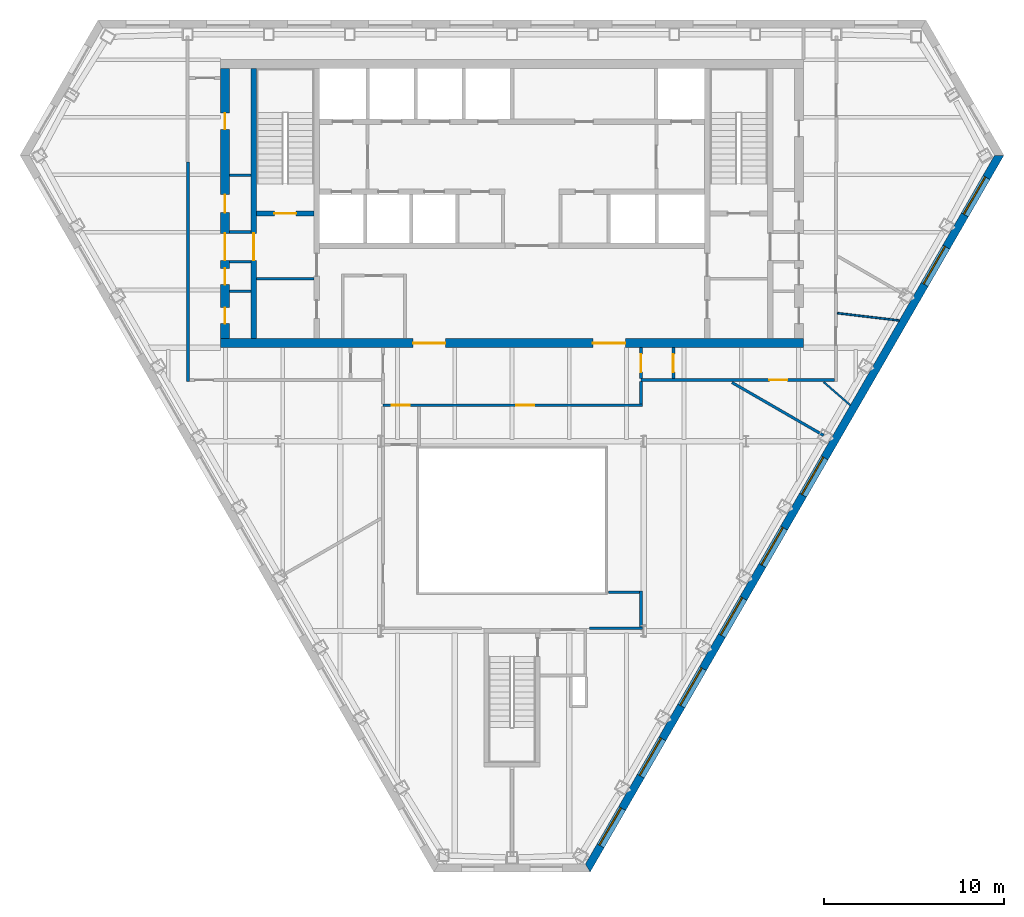
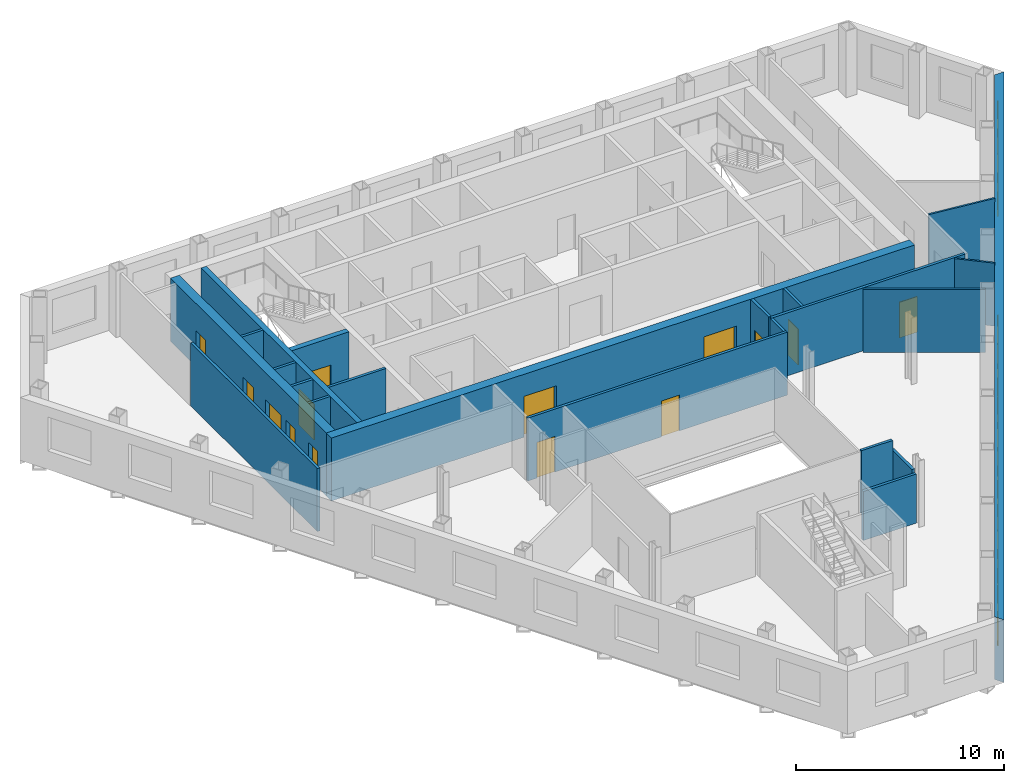
# One storey, part 5 of 11: 22 walls, 14 doors, 8 windows, 22 openings.
"""IFC4 building model written with IfcOpenShell, lengths in metres."""

from ifc_helpers import new_model, si_unit, direction, frame, frame_2d, origin, place, context, subcontext, project, spatial, polyline, rectangle, outline, extrude, material, layer, layer_set, type_object, element, fill, save


model = new_model("IFC4")

# Units and contexts
model_context = context("Model", 3, precision=1e-05, world=origin(), true_north=direction((0.0, 1.0)))
body_context = subcontext(model_context, "Body", "Model", "MODEL_VIEW")
ifc_project = project(units=[si_unit("LENGTHUNIT", "METRE"), si_unit("AREAUNIT", "SQUARE_METRE"), si_unit("VOLUMEUNIT", "CUBIC_METRE"), si_unit("PLANEANGLEUNIT", "RADIAN"), si_unit("MASSUNIT", "GRAM", prefix="KILO")], contexts=[model_context])

# Site, building, storey
site_placement = place(None, origin())
site = spatial("IfcSite", under=ifc_project, at=site_placement, CompositionType="ELEMENT")
building_placement = place(site_placement, origin())
building = spatial("IfcBuilding", under=site, at=building_placement, Name="Njiva Tower", CompositionType="ELEMENT")
storey_placement = place(building_placement, frame((0.0, 0.0, 151.5)))
storey = spatial("IfcBuildingStorey", under=building, at=storey_placement, Name="L32", CompositionType="ELEMENT", Elevation=151.5)

# Walls
ifc_material_1 = material(Name="Blockwork", Category="masonry")
ifc_layer_1 = layer(ifc_material_1, 0.15)
ifc_layer_set_1 = layer_set([ifc_layer_1], Name="Blockwork")
wall_type_1 = type_object("IfcWallType", Name="WT1 Compartment partition 150", PredefinedType="PARTITIONING", material=ifc_layer_set_1)
wall_1_placement = place(storey_placement, frame((-14.2, 5.825, 0.0), z_axis=(0.0, 0.0, 1.0), x_axis=(1.0, 0.0, 0.0)))
element("IfcWall", 1, at=wall_1_placement, inside=storey, type_object=wall_type_1, Name="Room wall A", PredefinedType="PARTITIONING", context=body_context, shape_type="SweptSolid", body=[
    extrude(rectangle(XDim=3.2, YDim=0.15, at=frame_2d((1.6, 0.0))), origin(), (0.0, 0.0, 1.0), 3.7),
])
wall_2_placement = place(storey_placement, frame((-15.7, 11.5687, 0.0), z_axis=(0.0, 0.0, 1.0), x_axis=(1.0, 0.0, 0.0)))
element("IfcWall", 2, at=wall_2_placement, inside=storey, type_object=wall_type_1, Name="Partition strip W10", PredefinedType="PARTITIONING", context=body_context, shape_type="SweptSolid", body=[
    extrude(rectangle(XDim=1.2, YDim=0.15, at=frame_2d((0.6, 0.0))), origin(), (0.0, 0.0, 1.0), 3.7),
])

# Wall, opening, door
ifc_material_2 = material(Name="Concrete C40/50", Category="concrete")
ifc_layer_2 = layer(ifc_material_2, 0.3)
ifc_layer_set_2 = layer_set([ifc_layer_2], Name="Concrete C40/50")
wall_type_2 = type_object("IfcWallType", Name="WT10 Stair enclosure wall 300", PredefinedType="SHEAR", material=ifc_layer_set_2)
wall_3_placement = place(storey_placement, frame((-14.35, 2.5, 0.0), z_axis=(0.0, 0.0, 1.0), x_axis=(0.0, 1.0, 0.0)))
wall_3 = element("IfcWall", 3, at=wall_3_placement, inside=storey, type_object=wall_type_2, Name="Stair wall west outer", PredefinedType="SHEAR", context=body_context, shape_type="SweptSolid", body=[
    extrude(rectangle(XDim=15.0, YDim=0.3, at=frame_2d((7.5, 0.0))), origin(), (0.0, 0.0, 1.0), 3.7),
])
opening_1_placement = place(wall_3_placement, frame((4.35, 0.0, 0.0)))
opening_1 = element("IfcOpeningElement", 4, at=opening_1_placement, cuts=wall_3, Name="Opening S11-D920", PredefinedType="OPENING", context=body_context, shape_type="SweptSolid", body=[
    extrude(rectangle(XDim=1.5, YDim=2.1, at=frame_2d((0.75, 1.05))), frame((0.0, 0.16, 0.0), z_axis=(0.0, -1.0, 0.0), x_axis=(1.0, 0.0, 0.0)), (0.0, 0.0, 1.0), 0.32),
])
ifc_material_3 = material(Name="Glazed steel fire door", Category="steel")
door_type_1 = type_object("IfcDoorType", Name="D10 Exit door double 1500x2100 glazed", OperationType="DOUBLE_DOOR_SINGLE_SWING", PredefinedType="DOOR", material=ifc_material_3)
door_1_placement = place(opening_1_placement, origin())
door_1 = element("IfcDoor", 5, at=door_1_placement, inside=storey, type_object=door_type_1, Name="Stair A passage door", OperationType="DOUBLE_DOOR_SINGLE_SWING", OverallHeight=2.1, OverallWidth=1.5, PredefinedType="DOOR", context=body_context, shape_type="SweptSolid", body=[
    extrude(rectangle(XDim=1.5, YDim=2.1, at=frame_2d((0.75, 1.05))), frame((0.0, 0.025, 0.0), z_axis=(0.0, -1.0, 0.0), x_axis=(1.0, 0.0, 0.0)), (0.0, 0.0, 1.0), 0.05),
])
fill(opening_1, door_1)

wall_4_placement = place(storey_placement, frame((-14.2, 9.45, 0.0), z_axis=(0.0, 0.0, 1.0), x_axis=(1.0, 0.0, 0.0)))
wall_4 = element("IfcWall", 6, at=wall_4_placement, inside=storey, type_object=wall_type_2, Name="Stair A south wall", PredefinedType="SHEAR", context=body_context, shape_type="SweptSolid", body=[
    extrude(rectangle(XDim=3.2, YDim=0.3, at=frame_2d((1.6, 0.0))), origin(), (0.0, 0.0, 1.0), 3.7),
])
opening_2_placement = place(wall_4_placement, frame((1.0, 0.0, 0.0)))
opening_2 = element("IfcOpeningElement", 7, at=opening_2_placement, cuts=wall_4, Name="Opening S11-D913", PredefinedType="OPENING", context=body_context, shape_type="SweptSolid", body=[
    extrude(rectangle(XDim=1.2, YDim=2.1, at=frame_2d((0.6, 1.05))), frame((0.0, 0.16, 0.0), z_axis=(0.0, -1.0, 0.0), x_axis=(1.0, 0.0, 0.0)), (0.0, 0.0, 1.0), 0.32),
])
door_type_2 = type_object("IfcDoorType", Name="D7 Stair vestibule door 1200x2100 glazed", OperationType="SINGLE_SWING_LEFT", PredefinedType="DOOR", material=ifc_material_3)
door_2_placement = place(opening_2_placement, origin())
door_2 = element("IfcDoor", 8, at=door_2_placement, inside=storey, type_object=door_type_2, Name="Stair A door", OperationType="SINGLE_SWING_LEFT", OverallHeight=2.1, OverallWidth=1.2, PredefinedType="DOOR", context=body_context, shape_type="SweptSolid", body=[
    extrude(rectangle(XDim=1.2, YDim=2.1, at=frame_2d((0.6, 1.05))), frame((0.0, 0.025, 0.0), z_axis=(0.0, -1.0, 0.0), x_axis=(1.0, 0.0, 0.0)), (0.0, 0.0, 1.0), 0.05),
])
fill(opening_2, door_2)

# Wall, openings, doors
ifc_material_4 = material(Name="Concrete C60/75", Category="concrete")
ifc_layer_3 = layer(ifc_material_4, 0.5)
ifc_layer_set_3 = layer_set([ifc_layer_3], Name="Concrete C60/75")
wall_type_3 = type_object("IfcWallType", Name="WT13 Core wall 500", PredefinedType="SHEAR", material=ifc_layer_set_3)
wall_5_placement = place(storey_placement, frame((-16.2, 2.25, 0.0), z_axis=(0.0, 0.0, 1.0), x_axis=(1.0, 0.0, 0.0)))
wall_5 = element("IfcWall", 9, at=wall_5_placement, inside=storey, type_object=wall_type_3, Name="Core wall south", PredefinedType="SHEAR", context=body_context, shape_type="SweptSolid", body=[
    extrude(rectangle(XDim=32.4, YDim=0.5, at=frame_2d((16.2, 0.0))), origin(), (0.0, 0.0, 1.0), 3.7),
])
opening_3_placement = place(wall_5_placement, frame((10.7, 0.0, 0.0)))
opening_3 = element("IfcOpeningElement", 10, at=opening_3_placement, cuts=wall_5, Name="Opening S11-D934", PredefinedType="OPENING", context=body_context, shape_type="SweptSolid", body=[
    extrude(rectangle(XDim=1.8, YDim=2.4, at=frame_2d((0.9, 1.2))), frame((0.0, 0.26, 0.0), z_axis=(0.0, -1.0, 0.0), x_axis=(1.0, 0.0, 0.0)), (0.0, 0.0, 1.0), 0.52),
])
opening_4_placement = place(wall_5_placement, frame((20.7, 0.0, 0.0)))
opening_4 = element("IfcOpeningElement", 11, at=opening_4_placement, cuts=wall_5, Name="Opening S11-D935", PredefinedType="OPENING", context=body_context, shape_type="SweptSolid", body=[
    extrude(rectangle(XDim=1.8, YDim=2.4, at=frame_2d((0.9, 1.2))), frame((0.0, 0.26, 0.0), z_axis=(0.0, -1.0, 0.0), x_axis=(1.0, 0.0, 0.0)), (0.0, 0.0, 1.0), 0.52),
])
ifc_material_5 = material(Name="Steel and glass door", Category="steel")
door_type_3 = type_object("IfcDoorType", Name="D3 Core entrance door 1800x2400", OperationType="DOUBLE_DOOR_SINGLE_SWING", PredefinedType="DOOR", material=ifc_material_5)
door_3_placement = place(opening_3_placement, origin())
door_3 = element("IfcDoor", 12, at=door_3_placement, inside=storey, type_object=door_type_3, Name="Core entrance door", OperationType="DOUBLE_DOOR_SINGLE_SWING", OverallHeight=2.4, OverallWidth=1.8, PredefinedType="DOOR", context=body_context, shape_type="SweptSolid", body=[
    extrude(rectangle(XDim=1.8, YDim=2.4, at=frame_2d((0.9, 1.2))), frame((0.0, 0.025, 0.0), z_axis=(0.0, -1.0, 0.0), x_axis=(1.0, 0.0, 0.0)), (0.0, 0.0, 1.0), 0.05),
])
fill(opening_3, door_3)
door_4_placement = place(opening_4_placement, origin())
door_4 = element("IfcDoor", 13, at=door_4_placement, inside=storey, type_object=door_type_3, Name="Core entrance door", OperationType="DOUBLE_DOOR_SINGLE_SWING", OverallHeight=2.4, OverallWidth=1.8, PredefinedType="DOOR", context=body_context, shape_type="SweptSolid", body=[
    extrude(rectangle(XDim=1.8, YDim=2.4, at=frame_2d((0.9, 1.2))), frame((0.0, 0.025, 0.0), z_axis=(0.0, -1.0, 0.0), x_axis=(1.0, 0.0, 0.0)), (0.0, 0.0, 1.0), 0.05),
])
fill(opening_4, door_4)

wall_6_placement = place(storey_placement, frame((-15.95, 2.5, 0.0), z_axis=(0.0, 0.0, 1.0), x_axis=(0.0, 1.0, 0.0)))
wall_6 = element("IfcWall", 14, at=wall_6_placement, inside=storey, type_object=wall_type_3, Name="Core wall west", PredefinedType="SHEAR", context=body_context, shape_type="SweptSolid", body=[
    extrude(rectangle(XDim=15.0, YDim=0.5, at=frame_2d((7.5, 0.0))), origin(), (0.0, 0.0, 1.0), 3.7),
])
opening_5_placement = place(wall_6_placement, frame((4.35, 0.0, 0.0)))
opening_5 = element("IfcOpeningElement", 15, at=opening_5_placement, cuts=wall_6, Name="Opening S11-D921", PredefinedType="OPENING", context=body_context, shape_type="SweptSolid", body=[
    extrude(rectangle(XDim=1.5, YDim=2.1, at=frame_2d((0.75, 1.05))), frame((0.0, 0.26, 0.0), z_axis=(0.0, -1.0, 0.0), x_axis=(1.0, 0.0, 0.0)), (0.0, 0.0, 1.0), 0.52),
])
opening_6_placement = place(wall_6_placement, frame((0.825, 0.0, 0.0)))
opening_6 = element("IfcOpeningElement", 16, at=opening_6_placement, cuts=wall_6, Name="Opening S11-D922", PredefinedType="OPENING", context=body_context, shape_type="SweptSolid", body=[
    extrude(rectangle(XDim=0.9, YDim=2.1, at=frame_2d((0.45, 1.05))), frame((0.0, 0.26, 0.0), z_axis=(0.0, -1.0, 0.0), x_axis=(1.0, 0.0, 0.0)), (0.0, 0.0, 1.0), 0.52),
])
opening_7_placement = place(wall_6_placement, frame((3.0, 0.0, 0.0)))
opening_7 = element("IfcOpeningElement", 17, at=opening_7_placement, cuts=wall_6, Name="Opening S11-D923", PredefinedType="OPENING", context=body_context, shape_type="SweptSolid", body=[
    extrude(rectangle(XDim=0.9, YDim=2.1, at=frame_2d((0.45, 1.05))), frame((0.0, 0.26, 0.0), z_axis=(0.0, -1.0, 0.0), x_axis=(1.0, 0.0, 0.0)), (0.0, 0.0, 1.0), 0.52),
])
opening_8_placement = place(wall_6_placement, frame((6.9969, 0.0, 0.0)))
opening_8 = element("IfcOpeningElement", 18, at=opening_8_placement, cuts=wall_6, Name="Opening S11-D924", PredefinedType="OPENING", context=body_context, shape_type="SweptSolid", body=[
    extrude(rectangle(XDim=1.0, YDim=2.1, at=frame_2d((0.5, 1.05))), frame((0.0, 0.26, 0.0), z_axis=(0.0, -1.0, 0.0), x_axis=(1.0, 0.0, 0.0)), (0.0, 0.0, 1.0), 0.52),
])
opening_9_placement = place(wall_6_placement, frame((11.6219, 0.0, 0.0)))
opening_9 = element("IfcOpeningElement", 19, at=opening_9_placement, cuts=wall_6, Name="Opening S11-D925", PredefinedType="OPENING", context=body_context, shape_type="SweptSolid", body=[
    extrude(rectangle(XDim=0.9, YDim=2.1, at=frame_2d((0.45, 1.05))), frame((0.0, 0.26, 0.0), z_axis=(0.0, -1.0, 0.0), x_axis=(1.0, 0.0, 0.0)), (0.0, 0.0, 1.0), 0.52),
])
door_5_placement = place(opening_5_placement, origin())
door_5 = element("IfcDoor", 20, at=door_5_placement, inside=storey, type_object=door_type_1, Name="Stair A corridor door", OperationType="DOUBLE_DOOR_SINGLE_SWING", OverallHeight=2.1, OverallWidth=1.5, PredefinedType="DOOR", context=body_context, shape_type="SweptSolid", body=[
    extrude(rectangle(XDim=1.5, YDim=2.1, at=frame_2d((0.75, 1.05))), frame((0.0, 0.025, 0.0), z_axis=(0.0, -1.0, 0.0), x_axis=(1.0, 0.0, 0.0)), (0.0, 0.0, 1.0), 0.05),
])
fill(opening_5, door_5)
ifc_material_6 = material(Name="Steel door, painted", Category="steel")
door_type_4 = type_object("IfcDoorType", Name="D4 Riser door 900x2100", OperationType="SINGLE_SWING_LEFT", PredefinedType="DOOR", material=ifc_material_6)
door_6_placement = place(opening_7_placement, origin())
door_6 = element("IfcDoor", 21, at=door_6_placement, inside=storey, type_object=door_type_4, Name="Cable riser door", OperationType="SINGLE_SWING_RIGHT", OverallHeight=2.1, OverallWidth=0.9, PredefinedType="DOOR", context=body_context, shape_type="SweptSolid", body=[
    extrude(rectangle(XDim=0.9, YDim=2.1, at=frame_2d((0.45, 1.05))), frame((0.0, 0.025, 0.0), z_axis=(0.0, -1.0, 0.0), x_axis=(1.0, 0.0, 0.0)), (0.0, 0.0, 1.0), 0.05),
])
fill(opening_7, door_6)
door_type_5 = type_object("IfcDoorType", Name="D5 Steel door 1000x2100", OperationType="SINGLE_SWING_LEFT", PredefinedType="DOOR", material=ifc_material_6)
door_7_placement = place(opening_8_placement, origin())
door_7 = element("IfcDoor", 22, at=door_7_placement, inside=storey, type_object=door_type_5, Name="Electrical room door", OperationType="SINGLE_SWING_RIGHT", OverallHeight=2.1, OverallWidth=1.0, PredefinedType="DOOR", context=body_context, shape_type="SweptSolid", body=[
    extrude(rectangle(XDim=1.0, YDim=2.1, at=frame_2d((0.5, 1.05))), frame((0.0, 0.025, 0.0), z_axis=(0.0, -1.0, 0.0), x_axis=(1.0, 0.0, 0.0)), (0.0, 0.0, 1.0), 0.05),
])
fill(opening_8, door_7)
ifc_material_7 = material(Name="Steel fire door, painted", Category="steel")
door_type_6 = type_object("IfcDoorType", Name="D6 Fire-rated door 900x2100", OperationType="SINGLE_SWING_LEFT", PredefinedType="DOOR", material=ifc_material_7)
door_8_placement = place(opening_6_placement, origin())
door_8 = element("IfcDoor", 23, at=door_8_placement, inside=storey, type_object=door_type_6, Name="Cable store door", OperationType="SINGLE_SWING_RIGHT", OverallHeight=2.1, OverallWidth=0.9, PredefinedType="DOOR", context=body_context, shape_type="SweptSolid", body=[
    extrude(rectangle(XDim=0.9, YDim=2.1, at=frame_2d((0.45, 1.05))), frame((0.0, 0.025, 0.0), z_axis=(0.0, -1.0, 0.0), x_axis=(1.0, 0.0, 0.0)), (0.0, 0.0, 1.0), 0.05),
])
fill(opening_6, door_8)
door_9_placement = place(opening_9_placement, origin())
door_9 = element("IfcDoor", 24, at=door_9_placement, inside=storey, type_object=door_type_6, Name="Cable store door", OperationType="SINGLE_SWING_LEFT", OverallHeight=2.1, OverallWidth=0.9, PredefinedType="DOOR", context=body_context, shape_type="SweptSolid", body=[
    extrude(rectangle(XDim=0.9, YDim=2.1, at=frame_2d((0.45, 1.05))), frame((0.0, 0.025, 0.0), z_axis=(0.0, -1.0, 0.0), x_axis=(1.0, 0.0, 0.0)), (0.0, 0.0, 1.0), 0.05),
])
fill(opening_9, door_9)

# Walls
ifc_material_8 = material(Name="Gypsum board on steel studs", Category="gypsum")
ifc_layer_4 = layer(ifc_material_8, 0.1)
ifc_layer_set_4 = layer_set([ifc_layer_4], Name="Gypsum board on steel studs")
wall_type_4 = type_object("IfcWallType", Name="WT20 Gypsum partition 100", PredefinedType="PARTITIONING", material=ifc_layer_set_4)
wall_7_placement = place(storey_placement, frame((17.315, 0.087, 0.0), z_axis=(0.0, 0.0, 1.0), x_axis=(0.754244081951, -0.656594140121, 0.0)))
element("IfcWall", 25, at=wall_7_placement, inside=storey, type_object=wall_type_4, Name="Partition S11-P024", PredefinedType="PARTITIONING", context=body_context, shape_type="SweptSolid", body=[
    extrude(rectangle(XDim=1.9662, YDim=0.1, at=frame_2d((0.9831, 0.0))), origin(), (0.0, 0.0, 1.0), 3.7),
])
wall_8_placement = place(storey_placement, frame((18.081, 3.913, 0.0), z_axis=(0.0, 0.0, 1.0), x_axis=(0.993015725956, -0.11798206645, 0.0)))
element("IfcWall", 26, at=wall_8_placement, inside=storey, type_object=wall_type_4, Name="Partition S11-P027", PredefinedType="PARTITIONING", context=body_context, shape_type="SweptSolid", body=[
    extrude(rectangle(XDim=3.4582, YDim=0.1, at=frame_2d((1.7291, 0.0))), origin(), (0.0, 0.0, 1.0), 3.7),
])
ifc_layer_5 = layer(ifc_material_8, 0.15)
ifc_layer_set_5 = layer_set([ifc_layer_5], Name="Gypsum board on steel studs")
wall_type_5 = type_object("IfcWallType", Name="WT21 Compartment wall 150", PredefinedType="PARTITIONING", material=ifc_layer_set_5)
wall_9_placement = place(storey_placement, frame((-18.0, 0.125, 0.0), z_axis=(0.0, 0.0, 1.0), x_axis=(0.0, 1.0, 0.0)))
element("IfcWall", 27, at=wall_9_placement, inside=storey, type_object=wall_type_5, Name="Partition S11-P002", PredefinedType="PARTITIONING", context=body_context, shape_type="SweptSolid", body=[
    extrude(rectangle(XDim=12.18, YDim=0.15, at=frame_2d((6.09, 0.0))), origin(), (0.0, 0.0, 1.0), 3.7),
])

# Wall, openings, doors
wall_10_placement = place(storey_placement, frame((-7.17, -1.2, 0.0), z_axis=(0.0, 0.0, 1.0), x_axis=(1.0, 0.0, 0.0)))
wall_10 = element("IfcWall", 28, at=wall_10_placement, inside=storey, type_object=wall_type_5, Name="Partition S11-P008", PredefinedType="PARTITIONING", context=body_context, shape_type="SweptSolid", body=[
    extrude(rectangle(XDim=14.415, YDim=0.15, at=frame_2d((7.2075, 0.0))), origin(), (0.0, 0.0, 1.0), 3.7),
])
opening_10_placement = place(wall_10_placement, frame((0.5, 0.0, 0.0)))
opening_10 = element("IfcOpeningElement", 29, at=opening_10_placement, cuts=wall_10, Name="Opening S11-D005", PredefinedType="OPENING", context=body_context, shape_type="SweptSolid", body=[
    extrude(rectangle(XDim=1.0, YDim=2.1, at=frame_2d((0.5, 1.05))), frame((0.0, 0.085, 0.0), z_axis=(0.0, -1.0, 0.0), x_axis=(1.0, 0.0, 0.0)), (0.0, 0.0, 1.0), 0.17),
])
opening_11_placement = place(wall_10_placement, frame((7.42, 0.0, 0.0)))
opening_11 = element("IfcOpeningElement", 30, at=opening_11_placement, cuts=wall_10, Name="Opening S11-D006", PredefinedType="OPENING", context=body_context, shape_type="SweptSolid", body=[
    extrude(rectangle(XDim=1.0, YDim=2.1, at=frame_2d((0.5, 1.05))), frame((0.0, 0.085, 0.0), z_axis=(0.0, -1.0, 0.0), x_axis=(1.0, 0.0, 0.0)), (0.0, 0.0, 1.0), 0.17),
])
ifc_material_9 = material(Name="Steel fire door set", Category="steel")
door_type_7 = type_object("IfcDoorType", Name="D37 Fire door 1000x2100", OperationType="SINGLE_SWING_LEFT", PredefinedType="DOOR", material=ifc_material_9)
door_10_placement = place(opening_10_placement, origin())
door_10 = element("IfcDoor", 31, at=door_10_placement, inside=storey, type_object=door_type_7, Name="Door S11-D005", OperationType="SINGLE_SWING_RIGHT", OverallHeight=2.1, OverallWidth=1.0, PredefinedType="DOOR", context=body_context, shape_type="SweptSolid", body=[
    extrude(rectangle(XDim=1.0, YDim=2.1, at=frame_2d((0.5, 1.05))), frame((0.0, 0.025, 0.0), z_axis=(0.0, -1.0, 0.0), x_axis=(1.0, 0.0, 0.0)), (0.0, 0.0, 1.0), 0.05),
])
fill(opening_10, door_10)
door_11_placement = place(opening_11_placement, origin())
door_11 = element("IfcDoor", 32, at=door_11_placement, inside=storey, type_object=door_type_7, Name="Door S11-D006", OperationType="SINGLE_SWING_RIGHT", OverallHeight=2.1, OverallWidth=1.0, PredefinedType="DOOR", context=body_context, shape_type="SweptSolid", body=[
    extrude(rectangle(XDim=1.0, YDim=2.1, at=frame_2d((0.5, 1.05))), frame((0.0, 0.025, 0.0), z_axis=(0.0, -1.0, 0.0), x_axis=(1.0, 0.0, 0.0)), (0.0, 0.0, 1.0), 0.05),
])
fill(opening_11, door_11)

# Walls
wall_11_placement = place(storey_placement, frame((4.3, -13.6, 0.0), z_axis=(0.0, 0.0, 1.0), x_axis=(1.0, 0.0, 0.0)))
element("IfcWall", 33, at=wall_11_placement, inside=storey, type_object=wall_type_5, Name="Partition S11-P015", PredefinedType="PARTITIONING", context=body_context, shape_type="SweptSolid", body=[
    extrude(rectangle(XDim=2.945, YDim=0.15, at=frame_2d((1.4725, 0.0))), origin(), (0.0, 0.0, 1.0), 2.886),
])
wall_12_placement = place(storey_placement, frame((5.355, -11.6, 0.0), z_axis=(0.0, 0.0, 1.0), x_axis=(1.0, 0.0, 0.0)))
element("IfcWall", 34, at=wall_12_placement, inside=storey, type_object=wall_type_5, Name="Partition S11-P016", PredefinedType="PARTITIONING", context=body_context, shape_type="SweptSolid", body=[
    extrude(rectangle(XDim=1.74, YDim=0.15, at=frame_2d((0.87, 0.0))), origin(), (0.0, 0.0, 1.0), 3.7),
])
wall_13_placement = place(storey_placement, frame((7.17, -13.525, 0.0), z_axis=(0.0, 0.0, 1.0), x_axis=(0.0, 1.0, 0.0)))
element("IfcWall", 35, at=wall_13_placement, inside=storey, type_object=wall_type_5, Name="Partition S11-P017", PredefinedType="PARTITIONING", context=body_context, shape_type="SweptSolid", body=[
    extrude(rectangle(XDim=2.0, YDim=0.15, at=frame_2d((1.0, 0.0))), origin(), (0.0, 0.0, 1.0), 3.11),
])
wall_14_placement = place(storey_placement, frame((7.17, -1.125, 0.0), z_axis=(0.0, 0.0, 1.0), x_axis=(0.0, 1.0, 0.0)))
element("IfcWall", 36, at=wall_14_placement, inside=storey, type_object=wall_type_5, Name="Partition S11-P018", PredefinedType="PARTITIONING", context=body_context, shape_type="SweptSolid", body=[
    extrude(rectangle(XDim=1.25, YDim=0.15, at=frame_2d((0.625, 0.0))), origin(), (0.0, 0.0, 1.0), 3.7),
])

# Wall, opening, door
wall_15_placement = place(storey_placement, frame((7.17, 0.2, 0.0), z_axis=(0.0, 0.0, 1.0), x_axis=(1.0, 0.0, 0.0)))
wall_15 = element("IfcWall", 37, at=wall_15_placement, inside=storey, type_object=wall_type_5, Name="Partition S11-P019", PredefinedType="PARTITIONING", context=body_context, shape_type="SweptSolid", body=[
    extrude(rectangle(XDim=10.755, YDim=0.15, at=frame_2d((5.3775, 0.0))), origin(), (0.0, 0.0, 1.0), 3.7),
])
opening_12_placement = place(wall_15_placement, frame((7.134, 0.0, 0.0)))
opening_12 = element("IfcOpeningElement", 38, at=opening_12_placement, cuts=wall_15, Name="Opening S11-D009", PredefinedType="OPENING", context=body_context, shape_type="SweptSolid", body=[
    extrude(rectangle(XDim=1.0, YDim=2.1, at=frame_2d((0.5, 1.05))), frame((0.0, 0.085, 0.0), z_axis=(0.0, -1.0, 0.0), x_axis=(1.0, 0.0, 0.0)), (0.0, 0.0, 1.0), 0.17),
])
door_12_placement = place(opening_12_placement, origin())
door_12 = element("IfcDoor", 39, at=door_12_placement, inside=storey, type_object=door_type_7, Name="Door S11-D009", OperationType="SINGLE_SWING_RIGHT", OverallHeight=2.1, OverallWidth=1.0, PredefinedType="DOOR", context=body_context, shape_type="SweptSolid", body=[
    extrude(rectangle(XDim=1.0, YDim=2.1, at=frame_2d((0.5, 1.05))), frame((0.0, 0.025, 0.0), z_axis=(0.0, -1.0, 0.0), x_axis=(1.0, 0.0, 0.0)), (0.0, 0.0, 1.0), 0.05),
])
fill(opening_12, door_12)

wall_16_placement = place(storey_placement, frame((7.17, 0.275, 0.0), z_axis=(0.0, 0.0, 1.0), x_axis=(0.0, 1.0, 0.0)))
wall_16 = element("IfcWall", 40, at=wall_16_placement, inside=storey, type_object=wall_type_5, Name="Partition S11-P020", PredefinedType="PARTITIONING", context=body_context, shape_type="SweptSolid", body=[
    extrude(rectangle(XDim=1.725, YDim=0.15, at=frame_2d((0.8625, 0.0))), origin(), (0.0, 0.0, 1.0), 3.7),
])
opening_13_placement = place(wall_16_placement, frame((0.362, 0.0, 0.0)))
opening_13 = element("IfcOpeningElement", 41, at=opening_13_placement, cuts=wall_16, Name="Opening S11-D010", PredefinedType="OPENING", context=body_context, shape_type="SweptSolid", body=[
    extrude(rectangle(XDim=1.0, YDim=2.1, at=frame_2d((0.5, 1.05))), frame((0.0, 0.085, 0.0), z_axis=(0.0, -1.0, 0.0), x_axis=(1.0, 0.0, 0.0)), (0.0, 0.0, 1.0), 0.17),
])
door_13_placement = place(opening_13_placement, origin())
door_13 = element("IfcDoor", 42, at=door_13_placement, inside=storey, type_object=door_type_7, Name="Door S11-D010", OperationType="SINGLE_SWING_LEFT", OverallHeight=2.1, OverallWidth=1.0, PredefinedType="DOOR", context=body_context, shape_type="SweptSolid", body=[
    extrude(rectangle(XDim=1.0, YDim=2.1, at=frame_2d((0.5, 1.05))), frame((0.0, 0.025, 0.0), z_axis=(0.0, -1.0, 0.0), x_axis=(1.0, 0.0, 0.0)), (0.0, 0.0, 1.0), 0.05),
])
fill(opening_13, door_13)

wall_17_placement = place(storey_placement, frame((8.97, 0.275, 0.0), z_axis=(0.0, 0.0, 1.0), x_axis=(0.0, 1.0, 0.0)))
wall_17 = element("IfcWall", 43, at=wall_17_placement, inside=storey, type_object=wall_type_5, Name="Partition S11-P021", PredefinedType="PARTITIONING", context=body_context, shape_type="SweptSolid", body=[
    extrude(rectangle(XDim=1.725, YDim=0.15, at=frame_2d((0.8625, 0.0))), origin(), (0.0, 0.0, 1.0), 3.7),
])
opening_14_placement = place(wall_17_placement, frame((0.363, 0.0, 0.0)))
opening_14 = element("IfcOpeningElement", 44, at=opening_14_placement, cuts=wall_17, Name="Opening S11-D011", PredefinedType="OPENING", context=body_context, shape_type="SweptSolid", body=[
    extrude(rectangle(XDim=1.0, YDim=2.1, at=frame_2d((0.5, 1.05))), frame((0.0, 0.085, 0.0), z_axis=(0.0, -1.0, 0.0), x_axis=(1.0, 0.0, 0.0)), (0.0, 0.0, 1.0), 0.17),
])
door_14_placement = place(opening_14_placement, origin())
door_14 = element("IfcDoor", 45, at=door_14_placement, inside=storey, type_object=door_type_7, Name="Door S11-D011", OperationType="SINGLE_SWING_RIGHT", OverallHeight=2.1, OverallWidth=1.0, PredefinedType="DOOR", context=body_context, shape_type="SweptSolid", body=[
    extrude(rectangle(XDim=1.0, YDim=2.1, at=frame_2d((0.5, 1.05))), frame((0.0, 0.025, 0.0), z_axis=(0.0, -1.0, 0.0), x_axis=(1.0, 0.0, 0.0)), (0.0, 0.0, 1.0), 0.05),
])
fill(opening_14, door_14)

# Walls
wall_18_placement = place(storey_placement, frame((12.222, 0.06, 0.0), z_axis=(0.0, 0.0, 1.0), x_axis=(0.866077922096, -0.499909024581, 0.0)))
element("IfcWall", 46, at=wall_18_placement, inside=storey, type_object=wall_type_5, Name="Partition S11-P022", PredefinedType="PARTITIONING", context=body_context, shape_type="SweptSolid", body=[
    extrude(rectangle(XDim=5.8771, YDim=0.15, at=frame_2d((2.9386, 0.0))), origin(), (0.0, 0.0, 1.0), 3.7),
])
ifc_layer_6 = layer(ifc_material_1, 0.15)
ifc_layer_set_6 = layer_set([ifc_layer_6], Name="Blockwork")
wall_type_6 = type_object("IfcWallType", Name="WT3 Riser partition 150", PredefinedType="PARTITIONING", material=ifc_layer_set_6)
wall_19_placement = place(storey_placement, frame((-15.7, 5.125, 0.0), z_axis=(0.0, 0.0, 1.0), x_axis=(1.0, 0.0, 0.0)))
element("IfcWall", 47, at=wall_19_placement, inside=storey, type_object=wall_type_6, Name="Partition strip W00", PredefinedType="PARTITIONING", context=body_context, shape_type="SweptSolid", body=[
    extrude(rectangle(XDim=1.2, YDim=0.15, at=frame_2d((0.6, 0.0))), origin(), (0.0, 0.0, 1.0), 3.7),
])
ifc_layer_7 = layer(ifc_material_1, 0.15)
ifc_layer_set_7 = layer_set([ifc_layer_7], Name="Blockwork")
wall_type_7 = type_object("IfcWallType", Name="WT4 Stair partition 150", PredefinedType="PARTITIONING", material=ifc_layer_set_7)
for number, where, z_axis, x_axis, name in (
    (48, (-15.7, 6.775, 0.0), (0.0, 0.0, 1.0), (1.0, 0.0, 0.0), "Stair A exit passage wall south"),
    (49, (-15.7, 8.425, 0.0), (0.0, 0.0, 1.0), (1.0, 0.0, 0.0), "Stair A exit passage wall north"),
):
    element("IfcWall", number, at=place(storey_placement, frame(where, z_axis=z_axis, x_axis=x_axis)), inside=storey, type_object=wall_type_7, Name=name, PredefinedType="PARTITIONING", context=body_context, shape_type="SweptSolid", body=[
        extrude(rectangle(XDim=1.2, YDim=0.15, at=frame_2d((0.6, 0.0))), origin(), (0.0, 0.0, 1.0), 3.7),
    ])

# Wall, openings, windows
ifc_material_10 = material(Name="Brick masonry", Category="masonry")
ifc_layer_8 = layer(ifc_material_10, 0.45)
ifc_layer_set_8 = layer_set([ifc_layer_8], Name="Brick masonry")
wall_type_8 = type_object("IfcWallType", Name="WT90 Brick pier and spandrel wall 450", PredefinedType="SOLIDWALL", material=ifc_layer_set_8)
wall_20_placement = place(storey_placement, frame((4.2101, -26.9206, -0.18), z_axis=(0.0, 0.0, 1.0), x_axis=(0.500000141277, 0.866025322218, 0.0)))
wall_20 = element("IfcWall", 50, at=wall_20_placement, inside=storey, type_object=wall_type_8, Name="Facade wall SE", PredefinedType="SOLIDWALL", context=body_context, shape_type="SweptSolid", body=[
    extrude(outline(polyline([(-0.1299, -0.225), (45.8601, -0.225), (45.6003, 0.225), (0.1299, 0.225), (-0.1299, -0.225)])), origin(), (0.0, 0.0, 1.0), 3.68),
])
opening_15_placement = place(wall_20_placement, frame((1.4237, 0.0, 1.08)))
opening_15 = element("IfcOpeningElement", 51, at=opening_15_placement, cuts=wall_20, Name="Opening S11-W24", PredefinedType="OPENING", context=body_context, shape_type="SweptSolid", body=[
    extrude(rectangle(XDim=2.4, YDim=2.0, at=frame_2d((1.2, 1.0))), frame((0.0, 0.235, 0.0), z_axis=(0.0, -1.0, 0.0), x_axis=(1.0, 0.0, 0.0)), (0.0, 0.0, 1.0), 0.47),
])
opening_16_placement = place(wall_20_placement, frame((5.8919, 0.0, 1.08)))
opening_16 = element("IfcOpeningElement", 52, at=opening_16_placement, cuts=wall_20, Name="Opening S11-W25", PredefinedType="OPENING", context=body_context, shape_type="SweptSolid", body=[
    extrude(rectangle(XDim=2.4, YDim=2.0, at=frame_2d((1.2, 1.0))), frame((0.0, 0.235, 0.0), z_axis=(0.0, -1.0, 0.0), x_axis=(1.0, 0.0, 0.0)), (0.0, 0.0, 1.0), 0.47),
])
opening_17_placement = place(wall_20_placement, frame((10.3985, 0.0, 1.08)))
opening_17 = element("IfcOpeningElement", 53, at=opening_17_placement, cuts=wall_20, Name="Opening S11-W26", PredefinedType="OPENING", context=body_context, shape_type="SweptSolid", body=[
    extrude(rectangle(XDim=2.4, YDim=2.0, at=frame_2d((1.2, 1.0))), frame((0.0, 0.235, 0.0), z_axis=(0.0, -1.0, 0.0), x_axis=(1.0, 0.0, 0.0)), (0.0, 0.0, 1.0), 0.47),
])
opening_18_placement = place(wall_20_placement, frame((14.9052, 0.0, 1.08)))
opening_18 = element("IfcOpeningElement", 54, at=opening_18_placement, cuts=wall_20, Name="Opening S11-W27", PredefinedType="OPENING", context=body_context, shape_type="SweptSolid", body=[
    extrude(rectangle(XDim=2.4, YDim=2.0, at=frame_2d((1.2, 1.0))), frame((0.0, 0.235, 0.0), z_axis=(0.0, -1.0, 0.0), x_axis=(1.0, 0.0, 0.0)), (0.0, 0.0, 1.0), 0.47),
])
opening_19_placement = place(wall_20_placement, frame((19.4118, 0.0, 1.08)))
opening_19 = element("IfcOpeningElement", 55, at=opening_19_placement, cuts=wall_20, Name="Opening S11-W28", PredefinedType="OPENING", context=body_context, shape_type="SweptSolid", body=[
    extrude(rectangle(XDim=2.4, YDim=2.0, at=frame_2d((1.2, 1.0))), frame((0.0, 0.235, 0.0), z_axis=(0.0, -1.0, 0.0), x_axis=(1.0, 0.0, 0.0)), (0.0, 0.0, 1.0), 0.47),
])
opening_20_placement = place(wall_20_placement, frame((23.9184, 0.0, 1.08)))
opening_20 = element("IfcOpeningElement", 56, at=opening_20_placement, cuts=wall_20, Name="Opening S11-W29", PredefinedType="OPENING", context=body_context, shape_type="SweptSolid", body=[
    extrude(rectangle(XDim=2.4, YDim=2.0, at=frame_2d((1.2, 1.0))), frame((0.0, 0.235, 0.0), z_axis=(0.0, -1.0, 0.0), x_axis=(1.0, 0.0, 0.0)), (0.0, 0.0, 1.0), 0.47),
])
opening_21_placement = place(wall_20_placement, frame((37.4383, 0.0, 1.08)))
opening_21 = element("IfcOpeningElement", 57, at=opening_21_placement, cuts=wall_20, Name="Opening S11-W30", PredefinedType="OPENING", context=body_context, shape_type="SweptSolid", body=[
    extrude(rectangle(XDim=2.4, YDim=2.0, at=frame_2d((1.2, 1.0))), frame((0.0, 0.235, 0.0), z_axis=(0.0, -1.0, 0.0), x_axis=(1.0, 0.0, 0.0)), (0.0, 0.0, 1.0), 0.47),
])
opening_22_placement = place(wall_20_placement, frame((41.9065, 0.0, 1.08)))
opening_22 = element("IfcOpeningElement", 58, at=opening_22_placement, cuts=wall_20, Name="Opening S11-W31", PredefinedType="OPENING", context=body_context, shape_type="SweptSolid", body=[
    extrude(rectangle(XDim=2.4, YDim=2.0, at=frame_2d((1.2, 1.0))), frame((0.0, 0.235, 0.0), z_axis=(0.0, -1.0, 0.0), x_axis=(1.0, 0.0, 0.0)), (0.0, 0.0, 1.0), 0.47),
])
ifc_material_11 = material(Name="Clear glazing in aluminium frame", Category="aluminium")
window_type = type_object("IfcWindowType", Name="W90 Deep-set window 2400x2000", PartitioningType="SINGLE_PANEL", PredefinedType="WINDOW", material=ifc_material_11)
window_1_placement = place(opening_15_placement, origin())
window_1 = element("IfcWindow", 59, at=window_1_placement, inside=storey, type_object=window_type, Name="Window", OverallHeight=2.0, OverallWidth=2.4, PartitioningType="SINGLE_PANEL", PredefinedType="WINDOW", context=body_context, shape_type="SweptSolid", body=[
    extrude(rectangle(XDim=2.4, YDim=2.0, at=frame_2d((1.2, 1.0))), frame((0.0, 0.105, 0.0), z_axis=(0.0, -1.0, 0.0), x_axis=(1.0, 0.0, 0.0)), (0.0, 0.0, 1.0), 0.06),
])
fill(opening_15, window_1)
window_2_placement = place(opening_16_placement, origin())
window_2 = element("IfcWindow", 60, at=window_2_placement, inside=storey, type_object=window_type, Name="Window", OverallHeight=2.0, OverallWidth=2.4, PartitioningType="SINGLE_PANEL", PredefinedType="WINDOW", context=body_context, shape_type="SweptSolid", body=[
    extrude(rectangle(XDim=2.4, YDim=2.0, at=frame_2d((1.2, 1.0))), frame((0.0, 0.105, 0.0), z_axis=(0.0, -1.0, 0.0), x_axis=(1.0, 0.0, 0.0)), (0.0, 0.0, 1.0), 0.06),
])
fill(opening_16, window_2)
window_3_placement = place(opening_17_placement, origin())
window_3 = element("IfcWindow", 61, at=window_3_placement, inside=storey, type_object=window_type, Name="Window", OverallHeight=2.0, OverallWidth=2.4, PartitioningType="SINGLE_PANEL", PredefinedType="WINDOW", context=body_context, shape_type="SweptSolid", body=[
    extrude(rectangle(XDim=2.4, YDim=2.0, at=frame_2d((1.2, 1.0))), frame((0.0, 0.105, 0.0), z_axis=(0.0, -1.0, 0.0), x_axis=(1.0, 0.0, 0.0)), (0.0, 0.0, 1.0), 0.06),
])
fill(opening_17, window_3)
window_4_placement = place(opening_18_placement, origin())
window_4 = element("IfcWindow", 62, at=window_4_placement, inside=storey, type_object=window_type, Name="Window", OverallHeight=2.0, OverallWidth=2.4, PartitioningType="SINGLE_PANEL", PredefinedType="WINDOW", context=body_context, shape_type="SweptSolid", body=[
    extrude(rectangle(XDim=2.4, YDim=2.0, at=frame_2d((1.2, 1.0))), frame((0.0, 0.105, 0.0), z_axis=(0.0, -1.0, 0.0), x_axis=(1.0, 0.0, 0.0)), (0.0, 0.0, 1.0), 0.06),
])
fill(opening_18, window_4)
window_5_placement = place(opening_19_placement, origin())
window_5 = element("IfcWindow", 63, at=window_5_placement, inside=storey, type_object=window_type, Name="Window", OverallHeight=2.0, OverallWidth=2.4, PartitioningType="SINGLE_PANEL", PredefinedType="WINDOW", context=body_context, shape_type="SweptSolid", body=[
    extrude(rectangle(XDim=2.4, YDim=2.0, at=frame_2d((1.2, 1.0))), frame((0.0, 0.105, 0.0), z_axis=(0.0, -1.0, 0.0), x_axis=(1.0, 0.0, 0.0)), (0.0, 0.0, 1.0), 0.06),
])
fill(opening_19, window_5)
window_6_placement = place(opening_20_placement, origin())
window_6 = element("IfcWindow", 64, at=window_6_placement, inside=storey, type_object=window_type, Name="Window", OverallHeight=2.0, OverallWidth=2.4, PartitioningType="SINGLE_PANEL", PredefinedType="WINDOW", context=body_context, shape_type="SweptSolid", body=[
    extrude(rectangle(XDim=2.4, YDim=2.0, at=frame_2d((1.2, 1.0))), frame((0.0, 0.105, 0.0), z_axis=(0.0, -1.0, 0.0), x_axis=(1.0, 0.0, 0.0)), (0.0, 0.0, 1.0), 0.06),
])
fill(opening_20, window_6)
window_7_placement = place(opening_21_placement, origin())
window_7 = element("IfcWindow", 65, at=window_7_placement, inside=storey, type_object=window_type, Name="Window", OverallHeight=2.0, OverallWidth=2.4, PartitioningType="SINGLE_PANEL", PredefinedType="WINDOW", context=body_context, shape_type="SweptSolid", body=[
    extrude(rectangle(XDim=2.4, YDim=2.0, at=frame_2d((1.2, 1.0))), frame((0.0, 0.105, 0.0), z_axis=(0.0, -1.0, 0.0), x_axis=(1.0, 0.0, 0.0)), (0.0, 0.0, 1.0), 0.06),
])
fill(opening_21, window_7)
window_8_placement = place(opening_22_placement, origin())
window_8 = element("IfcWindow", 66, at=window_8_placement, inside=storey, type_object=window_type, Name="Window", OverallHeight=2.0, OverallWidth=2.4, PartitioningType="SINGLE_PANEL", PredefinedType="WINDOW", context=body_context, shape_type="SweptSolid", body=[
    extrude(rectangle(XDim=2.4, YDim=2.0, at=frame_2d((1.2, 1.0))), frame((0.0, 0.105, 0.0), z_axis=(0.0, -1.0, 0.0), x_axis=(1.0, 0.0, 0.0)), (0.0, 0.0, 1.0), 0.06),
])
fill(opening_22, window_8)

save(model, "model.ifc")
